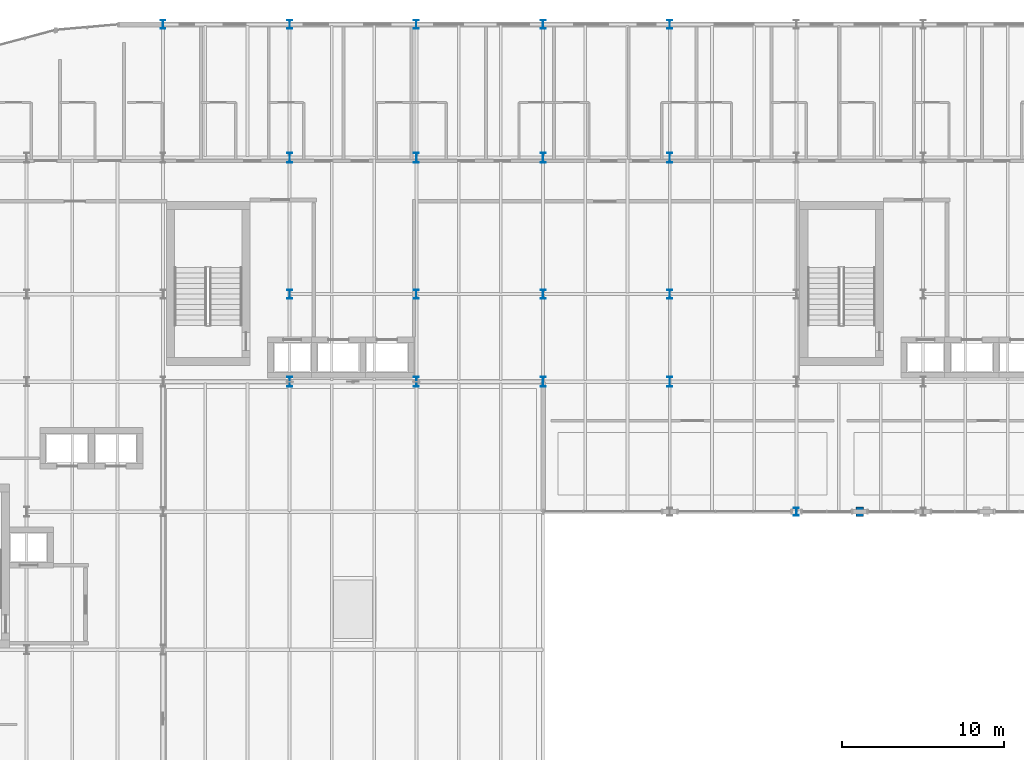
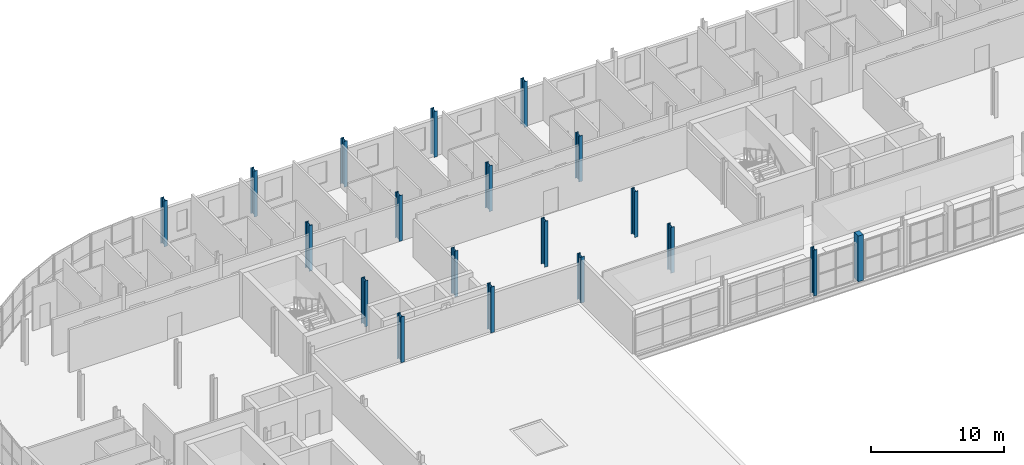
# One storey, part 5 of 58: 19 columns.
"""IFC4 building model written with IfcOpenShell, lengths in metres."""

from ifc_helpers import new_model, si_unit, direction, frame, origin, origin_2d, place, context, subcontext, project, spatial, rectangle, i_section, extrude, material, material_profile, profile_set, type_object, element, save


model = new_model("IFC4")

# Units and contexts
model_context = context("Model", 3, precision=1e-05, world=origin(), true_north=direction((0.0, 1.0)))
body_context = subcontext(model_context, "Body", "Model", "MODEL_VIEW")
ifc_project = project(units=[si_unit("LENGTHUNIT", "METRE"), si_unit("AREAUNIT", "SQUARE_METRE"), si_unit("VOLUMEUNIT", "CUBIC_METRE"), si_unit("PLANEANGLEUNIT", "RADIAN"), si_unit("MASSUNIT", "GRAM", prefix="KILO")], contexts=[model_context])

# Site, building, storey
site_placement = place(None, origin())
site = spatial("IfcSite", under=ifc_project, at=site_placement, CompositionType="ELEMENT")
building_placement = place(site_placement, origin())
building = spatial("IfcBuilding", under=site, at=building_placement, Name="Sefraquen Railside Congress Hotel", CompositionType="ELEMENT")
storey_placement = place(building_placement, frame((0.0, 0.0, 16.199951171875)))
storey = spatial("IfcBuildingStorey", under=building, at=storey_placement, Name="L03", CompositionType="ELEMENT", Elevation=16.199951171875)

# Columns
ifc_material_1 = material(Name="Steel S355JR", Category="steel")
ifc_material_profile_1 = material_profile(ifc_material_1, i_section(OverallWidth=0.300048828125, OverallDepth=0.5, WebThickness=0.014404296875, FlangeThickness=0.028076171875, FilletRadius=0.027099609375, at=origin_2d()), Name="HEB 500")
ifc_profile_set_1 = profile_set([ifc_material_profile_1], Name="Steel S355JR")
column_type_1 = type_object("IfcColumnType", Name="TC-HEB-500", PredefinedType="COLUMN", material=ifc_profile_set_1)
column_1_placement = place(storey_placement, frame((64.199951171875, 88.0, 0.0), z_axis=(0.0, 0.0, 1.0), x_axis=(1.0, 0.0, 0.0)))
element("IfcColumn", 1, at=column_1_placement, inside=storey, type_object=column_type_1, Name="Structural column 9-L L03", PredefinedType="COLUMN", context=body_context, shape_type="SweptSolid", body=[
    extrude(i_section(OverallWidth=0.300048828125, OverallDepth=0.5, WebThickness=0.014404296875, FlangeThickness=0.028076171875, FilletRadius=0.027099609375, at=origin_2d()), origin(), (0.0, 0.0, 1.0), 4.199951171875),
])
ifc_material_profile_2 = material_profile(ifc_material_1, i_section(OverallWidth=0.300048828125, OverallDepth=0.550048828125, WebThickness=0.014892578125, FlangeThickness=0.029052734375, FilletRadius=0.027099609375, at=origin_2d()), Name="HEB 550")
ifc_profile_set_2 = profile_set([ifc_material_profile_2], Name="Steel S355JR")
column_type_2 = type_object("IfcColumnType", Name="TC-HEB-550", PredefinedType="COLUMN", material=ifc_profile_set_2)
for number, where, z_axis, x_axis, name in (
    (2, (25.199951171875, 118.0, 0.0), (0.0, 0.0, 1.0), (1.0, 0.0, 0.0), "Structural column 4-Q L03"),
    (3, (33.0, 101.39990234375, 0.0), (0.0, 0.0, 1.0), (1.0, 0.0, 0.0), "Structural column 5-N L03"),
    (4, (33.0, 118.0, 0.0), (0.0, 0.0, 1.0), (1.0, 0.0, 0.0), "Structural column 5-Q L03"),
    (5, (40.800048828125, 101.39990234375, 0.0), (0.0, 0.0, 1.0), (1.0, 0.0, 0.0), "Structural column 6-N L03"),
    (6, (40.800048828125, 118.0, 0.0), (0.0, 0.0, 1.0), (1.0, 0.0, 0.0), "Structural column 6-Q L03"),
    (7, (48.60009765625, 101.39990234375, 0.0), (0.0, 0.0, 1.0), (1.0, 0.0, 0.0), "Structural column 7-N L03"),
    (8, (48.60009765625, 118.0, 0.0), (0.0, 0.0, 1.0), (1.0, 0.0, 0.0), "Structural column 7-Q L03"),
    (9, (56.39990234375, 101.39990234375, 0.0), (0.0, 0.0, 1.0), (1.0, 0.0, 0.0), "Structural column 8-N L03"),
    (10, (56.39990234375, 118.0, 0.0), (0.0, 0.0, 1.0), (1.0, 0.0, 0.0), "Structural column 8-Q L03"),
):
    element("IfcColumn", number, at=place(storey_placement, frame(where, z_axis=z_axis, x_axis=x_axis)), inside=storey, type_object=column_type_2, Name=name, PredefinedType="COLUMN", context=body_context, shape_type="SweptSolid", body=[
        extrude(i_section(OverallWidth=0.300048828125, OverallDepth=0.550048828125, WebThickness=0.014892578125, FlangeThickness=0.029052734375, FilletRadius=0.027099609375, at=origin_2d()), origin(), (0.0, 0.0, 1.0), 4.199951171875),
    ])
ifc_material_profile_3 = material_profile(ifc_material_1, i_section(OverallWidth=0.300048828125, OverallDepth=0.60009765625, WebThickness=0.015380859375, FlangeThickness=0.030029296875, FilletRadius=0.027099609375, at=origin_2d()), Name="HEB 600")
ifc_profile_set_3 = profile_set([ifc_material_profile_3], Name="Steel S355JR")
column_type_3 = type_object("IfcColumnType", Name="TC-HEB-600", PredefinedType="COLUMN", material=ifc_profile_set_3)
for number, where, z_axis, x_axis, name in (
    (11, (33.0, 96.0, 0.0), (0.0, 0.0, 1.0), (1.0, 0.0, 0.0), "Structural column 5-M L03"),
    (12, (33.0, 109.800048828125, 0.0), (0.0, 0.0, 1.0), (1.0, 0.0, 0.0), "Structural column 5-P L03"),
    (13, (40.800048828125, 96.0, 0.0), (0.0, 0.0, 1.0), (1.0, 0.0, 0.0), "Structural column 6-M L03"),
    (14, (40.800048828125, 109.800048828125, 0.0), (0.0, 0.0, 1.0), (1.0, 0.0, 0.0), "Structural column 6-P L03"),
    (15, (48.60009765625, 96.0, 0.0), (0.0, 0.0, 1.0), (1.0, 0.0, 0.0), "Structural column 7-M L03"),
    (16, (48.60009765625, 109.800048828125, 0.0), (0.0, 0.0, 1.0), (1.0, 0.0, 0.0), "Structural column 7-P L03"),
    (17, (56.39990234375, 96.0, 0.0), (0.0, 0.0, 1.0), (1.0, 0.0, 0.0), "Structural column 8-M L03"),
    (18, (56.39990234375, 109.800048828125, 0.0), (0.0, 0.0, 1.0), (1.0, 0.0, 0.0), "Structural column 8-P L03"),
):
    element("IfcColumn", number, at=place(storey_placement, frame(where, z_axis=z_axis, x_axis=x_axis)), inside=storey, type_object=column_type_3, Name=name, PredefinedType="COLUMN", context=body_context, shape_type="SweptSolid", body=[
        extrude(i_section(OverallWidth=0.300048828125, OverallDepth=0.60009765625, WebThickness=0.015380859375, FlangeThickness=0.030029296875, FilletRadius=0.027099609375, at=origin_2d()), origin(), (0.0, 0.0, 1.0), 4.199951171875),
    ])
ifc_material_2 = material(Name="Concrete C50/60", Category="concrete")
ifc_material_profile_4 = material_profile(ifc_material_2, rectangle(XDim=0.449951171875, YDim=0.60009765625, at=origin_2d()), Name="RC 600x450")
ifc_profile_set_4 = profile_set([ifc_material_profile_4], Name="Concrete C50/60")
column_type_4 = type_object("IfcColumnType", Name="TC-PIL-600", PredefinedType="PILASTER", material=ifc_profile_set_4)
column_2_placement = place(storey_placement, frame((68.10009765625, 88.0, 0.0), z_axis=(0.0, 0.0, 1.0), x_axis=(1.0, 0.0, 0.0)))
element("IfcColumn", 19, at=column_2_placement, inside=storey, type_object=column_type_4, Name="Courtyard limestone pilaster CPIL-N1 L03", PredefinedType="PILASTER", context=body_context, shape_type="SweptSolid", body=[
    extrude(rectangle(XDim=0.449951171875, YDim=0.60009765625, at=origin_2d()), origin(), (0.0, 0.0, 1.0), 4.199951171875),
])

save(model, "model.ifc")
